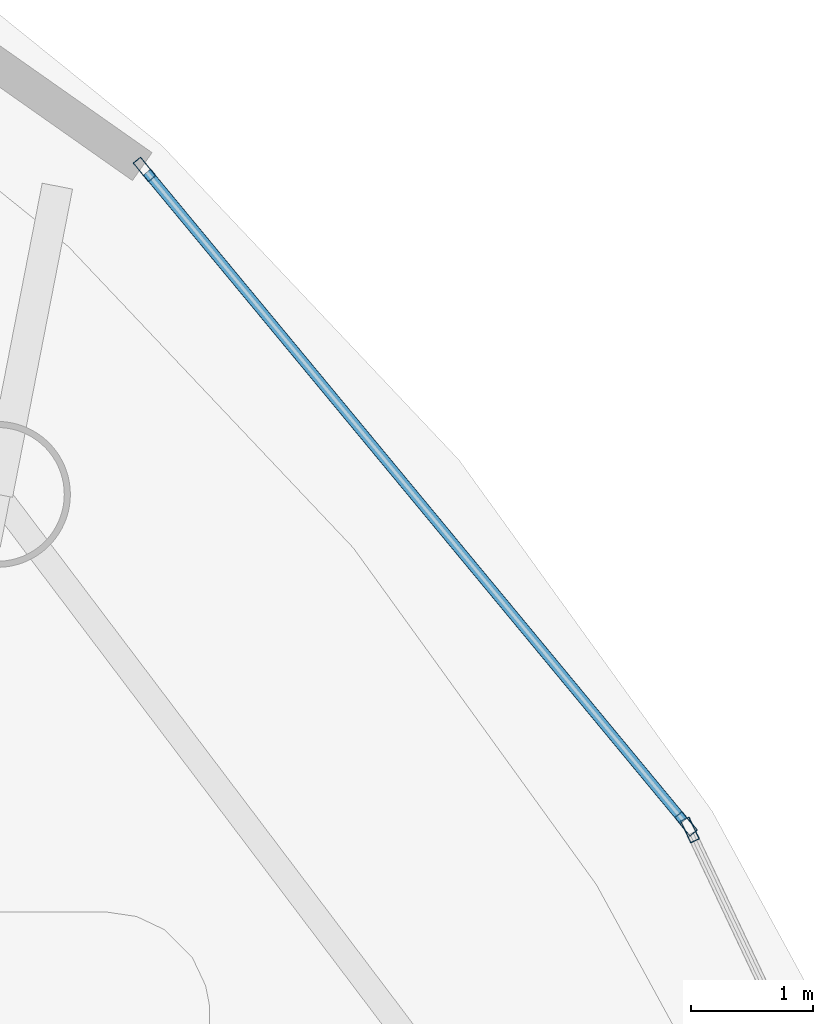
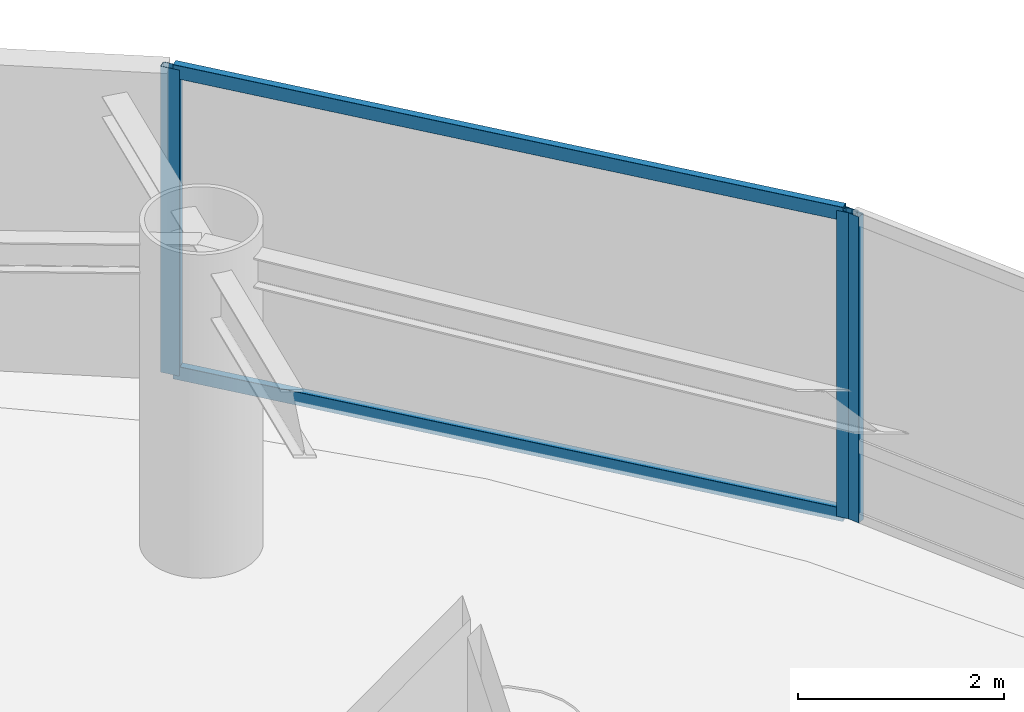
# One storey, part 12 of 20: 5 members, 2 elements without a shape of their own.
"""IFC4 building model written with IfcOpenShell, lengths in metres."""

from ifc_helpers import new_model, si_unit, direction, frame, origin, origin_2d, place, context, subcontext, project, spatial, hollow_rectangle, extrude, material, layer, layer_set, material_profile, profile_set, type_object, element, aggregate, save


model = new_model("IFC4")

# Units and contexts
model_context = context("Model", 3, precision=1e-05, world=origin(), true_north=direction((0.0, 1.0)))
body_context = subcontext(model_context, "Body", "Model", "MODEL_VIEW")
ifc_project = project(units=[si_unit("LENGTHUNIT", "METRE"), si_unit("AREAUNIT", "SQUARE_METRE"), si_unit("VOLUMEUNIT", "CUBIC_METRE"), si_unit("PLANEANGLEUNIT", "RADIAN"), si_unit("MASSUNIT", "GRAM", prefix="KILO")], contexts=[model_context])

# Site, building, storey
site_placement = place(None, origin())
site = spatial("IfcSite", under=ifc_project, at=site_placement, CompositionType="ELEMENT")
building_placement = place(site_placement, origin())
building = spatial("IfcBuilding", under=site, at=building_placement, Name="Bramvorn Convention Spire", CompositionType="ELEMENT")
storey_placement = place(building_placement, frame((0.0, 0.0, 202.0)))
storey = spatial("IfcBuildingStorey", under=building, at=storey_placement, Name="L51", CompositionType="ELEMENT", Elevation=202.0)

# Curtain wall, member
ifc_material_1 = material(Name="Anodised Bronze Unitised Curtain Wall", Category="aluminium")
ifc_layer = layer(ifc_material_1, 0.179931640625)
ifc_layer_set = layer_set([ifc_layer], Name="Anodised Bronze Unitised Curtain Wall - CW-OFF-FRIT")
curtain_wall_type = type_object("IfcCurtainWallType", Name="CW-OFF-FRIT", PredefinedType="USERDEFINED", material=ifc_layer_set)
curtain_wall_1_placement = place(storey_placement, origin())
curtain_wall_1 = element("IfcCurtainWall", 1, at=curtain_wall_1_placement, inside=storey, type_object=curtain_wall_type, Name="L51 fritted glass curtain wall 05", ObjectType="UNITISED CURTAIN WALL", PredefinedType="USERDEFINED")
ifc_material_2 = material(Name="Anodised Bronze Aluminium 6063-T6", Category="aluminium")
ifc_material_profile_1 = material_profile(ifc_material_2, hollow_rectangle(XDim=0.080078125, YDim=0.199951171875, WallThickness=0.00390625, InnerFilletRadius=0.0009765625, OuterFilletRadius=0.00390625, at=origin_2d()))
ifc_profile_set_1 = profile_set([ifc_material_profile_1], Name="Anodised Bronze Aluminium 6063-T6 - CWM80X200")
member_type_1 = type_object("IfcMemberType", Name="CW-MUL-180", PredefinedType="MULLION", material=ifc_profile_set_1)
member_1_placement = place(storey_placement, frame((56.197265625, 37.125244140625, 0.0), z_axis=(0.0, 0.0, 1.0), x_axis=(0.904386459885, 0.426714343766, 0.0)))
member_1 = element("IfcMember", 2, at=member_1_placement, type_object=member_type_1, Name="CW3 mullion 1", PredefinedType="MULLION", context=body_context, shape_type="SweptSolid", body=[
    extrude(hollow_rectangle(XDim=0.080078125, YDim=0.199951171875, WallThickness=0.00390625, InnerFilletRadius=0.0009765625, OuterFilletRadius=0.00390625, at=origin_2d()), origin(), (0.0, 0.0, 1.0), 3.6201171875),
])
aggregate(curtain_wall_1, [member_1])

# Curtain wall, members
curtain_wall_2_placement = place(storey_placement, origin())
curtain_wall_2 = element("IfcCurtainWall", 3, at=curtain_wall_2_placement, inside=storey, type_object=curtain_wall_type, Name="L51 fritted glass curtain wall 06", ObjectType="UNITISED CURTAIN WALL", PredefinedType="USERDEFINED")
member_2_placement = place(storey_placement, frame((51.7119140625, 42.5576171875, 0.0), z_axis=(0.0, 0.0, 1.0), x_axis=(0.770461867057, 0.637486087229, 0.0)))
member_2 = element("IfcMember", 4, at=member_2_placement, type_object=member_type_1, Name="CW3 mullion 1", PredefinedType="MULLION", context=body_context, shape_type="SweptSolid", body=[
    extrude(hollow_rectangle(XDim=0.080078125, YDim=0.199951171875, WallThickness=0.00390625, InnerFilletRadius=0.0009765625, OuterFilletRadius=0.00390625, at=origin_2d()), origin(), (0.0, 0.0, 1.0), 3.6201171875),
])
member_3_placement = place(storey_placement, frame((56.165283203125, 37.175537109375, 0.0), z_axis=(0.0, 0.0, 1.0), x_axis=(0.770461867057, 0.637486087229, 0.0)))
member_3 = element("IfcMember", 5, at=member_3_placement, type_object=member_type_1, Name="CW3 mullion 2", PredefinedType="MULLION", context=body_context, shape_type="SweptSolid", body=[
    extrude(hollow_rectangle(XDim=0.080078125, YDim=0.199951171875, WallThickness=0.00390625, InnerFilletRadius=0.0009765625, OuterFilletRadius=0.00390625, at=origin_2d()), origin(), (0.0, 0.0, 1.0), 3.6201171875),
])
ifc_material_profile_2 = material_profile(ifc_material_2, hollow_rectangle(XDim=0.080078125, YDim=0.159912109375, WallThickness=0.00390625, InnerFilletRadius=0.0009765625, OuterFilletRadius=0.00390625, at=origin_2d()))
ifc_profile_set_2 = profile_set([ifc_material_profile_2], Name="Anodised Bronze Aluminium 6063-T6 - CWT80X160")
member_type_2 = type_object("IfcMemberType", Name="CW-TRN-150", PredefinedType="USERDEFINED", material=ifc_profile_set_2)
member_4_placement = place(storey_placement, frame((51.731201171875, 42.53466796875, 0.030029296875), z_axis=(0.637489794057, -0.770458799984, 0.0), x_axis=(0.770458799984, 0.637489794057, 0.0)))
member_4 = element("IfcMember", 6, at=member_4_placement, type_object=member_type_2, Name="CW3 transom 1.1", ObjectType="TRANSOM", PredefinedType="USERDEFINED", context=body_context, shape_type="SweptSolid", body=[
    extrude(hollow_rectangle(XDim=0.080078125, YDim=0.159912109375, WallThickness=0.00390625, InnerFilletRadius=0.0009765625, OuterFilletRadius=0.00390625, at=origin_2d()), origin(), (0.0, 0.0, 1.0), 6.92578125),
])
member_5_placement = place(storey_placement, frame((51.731201171875, 42.53466796875, 3.590087890625), z_axis=(0.637489794057, -0.770458799984, 0.0), x_axis=(0.770458799984, 0.637489794057, 0.0)))
member_5 = element("IfcMember", 7, at=member_5_placement, type_object=member_type_2, Name="CW3 transom 1.2", ObjectType="TRANSOM", PredefinedType="USERDEFINED", context=body_context, shape_type="SweptSolid", body=[
    extrude(hollow_rectangle(XDim=0.080078125, YDim=0.159912109375, WallThickness=0.00390625, InnerFilletRadius=0.0009765625, OuterFilletRadius=0.00390625, at=origin_2d()), origin(), (0.0, 0.0, 1.0), 6.92578125),
])
aggregate(curtain_wall_2, [member_2, member_3, member_4, member_5])

save(model, "model.ifc")
